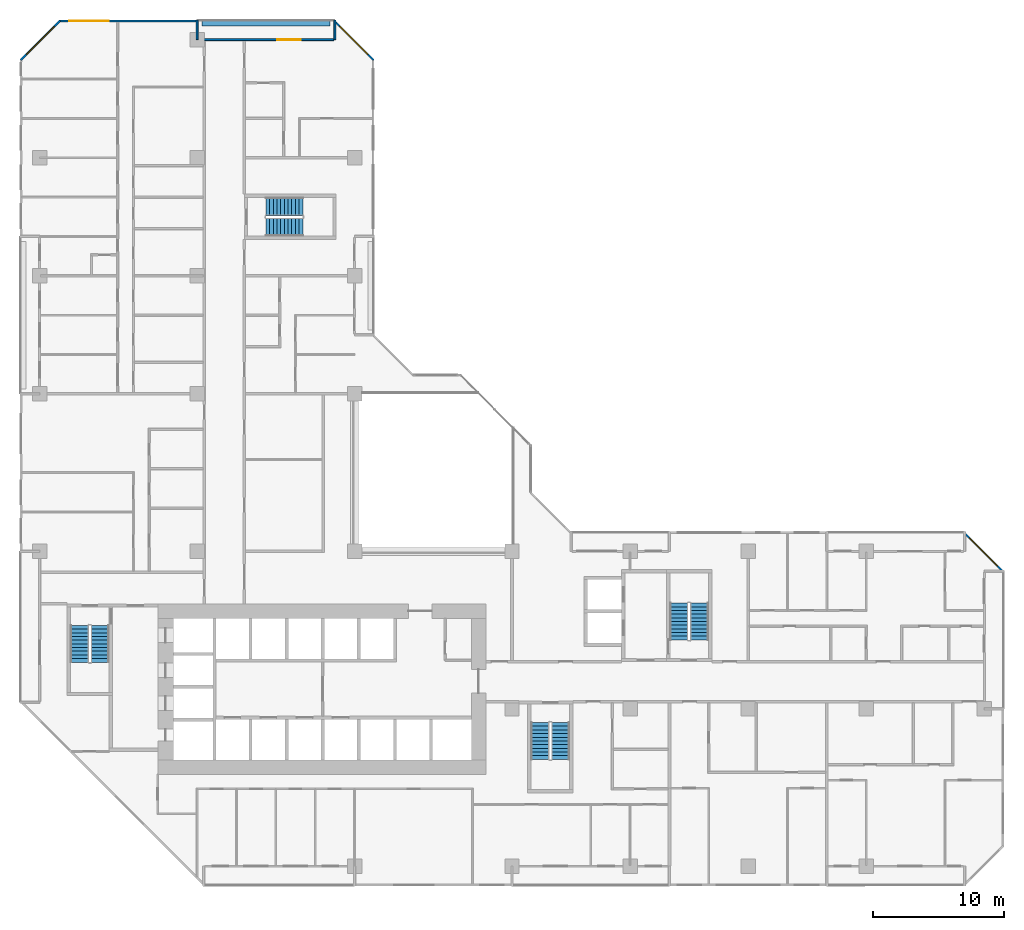
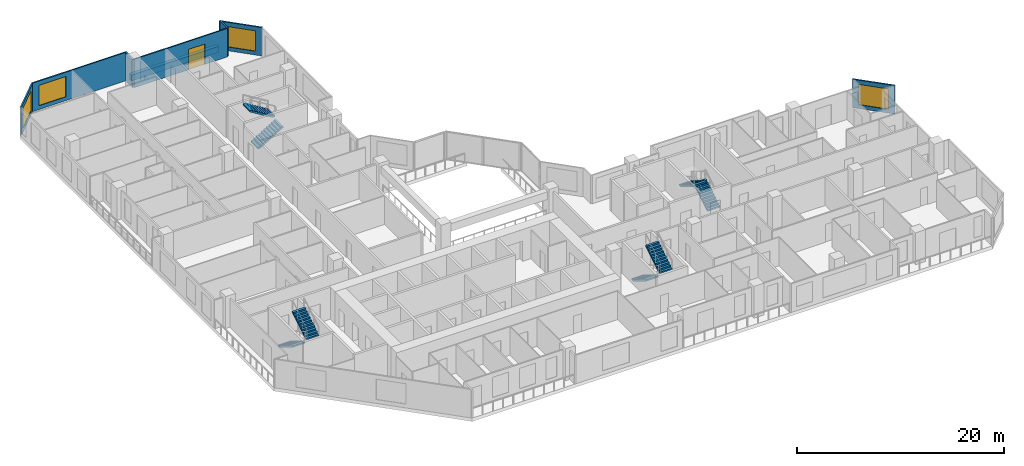
# One storey, part 13 of 15: 8 stair flights, 8 walls, 4 windows, 1 door, 5 openings, 4 elements without a shape of their own.
"""IFC4 building model written with IfcOpenShell, lengths in metres."""

from ifc_helpers import new_model, si_unit, direction, frame, frame_2d, origin, place, context, subcontext, project, spatial, polyline, rectangle, outline, extrude, material, layer, layer_set, type_object, element, fill, aggregate, save


model = new_model("IFC4")

# Units and contexts
model_context = context("Model", 3, precision=1e-05, world=origin(), true_north=direction((0.0, 1.0)))
body_context = subcontext(model_context, "Body", "Model", "MODEL_VIEW")
ifc_project = project(units=[si_unit("LENGTHUNIT", "METRE"), si_unit("AREAUNIT", "SQUARE_METRE"), si_unit("VOLUMEUNIT", "CUBIC_METRE"), si_unit("PLANEANGLEUNIT", "RADIAN"), si_unit("MASSUNIT", "GRAM", prefix="KILO")], contexts=[model_context])

# Site, building, storey
site_placement = place(None, origin())
site = spatial("IfcSite", under=ifc_project, at=site_placement, CompositionType="ELEMENT")
building_placement = place(site_placement, origin())
building = spatial("IfcBuilding", under=site, at=building_placement, Name="Chenar Terraces", CompositionType="ELEMENT")
storey_placement = place(building_placement, frame((0.0, 0.0, 60.14990234375)))
storey = spatial("IfcBuildingStorey", under=building, at=storey_placement, Name="L12", CompositionType="ELEMENT", Elevation=60.14990234375)

# Wall, opening, window
ifc_material_1 = material(Name="Aluminium framed glazing", Category="aluminium")
ifc_layer_1 = layer(ifc_material_1, 0.14990234375)
ifc_layer_set_1 = layer_set([ifc_layer_1], Name="Aluminium framed glazing")
wall_type_1 = type_object("IfcWallType", Name="Glazed flush facade wall 150", PredefinedType="SOLIDWALL", material=ifc_layer_set_1)
wall_1_placement = place(storey_placement, frame((11.925048828125, 64.425048828125, 0.0), z_axis=(0.0, 0.0, 1.0), x_axis=(-1.0, 0.0, 0.0)))
wall_1 = element("IfcWall", 1, at=wall_1_placement, inside=storey, type_object=wall_type_1, Name="Glazed flush facade wall", PredefinedType="SOLIDWALL", context=body_context, shape_type="SweptSolid", body=[
    extrude(rectangle(XDim=10.425048828125, YDim=0.14990234375, at=frame_2d((5.21240234375, 0.0))), origin(), (0.0, 0.0, 1.0), 3.35009765625),
])
opening_1_placement = place(wall_1_placement, frame((6.675048828125, 0.0, 0.449951171875)))
opening_1 = element("IfcOpeningElement", 2, at=opening_1_placement, cuts=wall_1, Name="Opening W300x240", PredefinedType="OPENING", context=body_context, shape_type="SweptSolid", body=[
    extrude(rectangle(XDim=3.0, YDim=2.39990234375, at=frame_2d((1.5, 1.199951171875))), frame((0.0, 0.0849609375, 0.0), z_axis=(0.0, -1.0, 0.0), x_axis=(1.0, 0.0, 0.0)), (0.0, 0.0, 1.0), 0.169921875),
])
ifc_material_2 = material(Name="Low emissivity double glazing, aluminium frame", Category="aluminium")
window_type = type_object("IfcWindowType", Name="Fixed light 3000 x 2400", PartitioningType="SINGLE_PANEL", PredefinedType="WINDOW", material=ifc_material_2)
window_1_placement = place(opening_1_placement, origin())
window_1 = element("IfcWindow", 3, at=window_1_placement, inside=storey, type_object=window_type, Name="Window", OverallHeight=2.39990234375, OverallWidth=3.0, PartitioningType="SINGLE_PANEL", PredefinedType="WINDOW", context=body_context, shape_type="SweptSolid", body=[
    extrude(rectangle(XDim=3.0, YDim=2.39990234375, at=frame_2d((1.5, 1.199951171875))), frame((0.0, 0.030029296875, 0.0), z_axis=(0.0, -1.0, 0.0), x_axis=(1.0, 0.0, 0.0)), (0.0, 0.0, 1.0), 0.06005859375),
])
fill(opening_1, window_1)

# Wall, opening, door
ifc_material_3 = material(Name="Aluminium framed glazing", Category="aluminium")
ifc_layer_2 = layer(ifc_material_3, 0.14990234375)
ifc_layer_set_2 = layer_set([ifc_layer_2], Name="Aluminium framed glazing")
wall_type_2 = type_object("IfcWallType", Name="Glazed loggia back wall 150", PredefinedType="SOLIDWALL", material=ifc_layer_set_2)
wall_2_placement = place(storey_placement, frame((22.425048828125, 63.0, 0.0), z_axis=(0.0, 0.0, 1.0), x_axis=(-1.0, 0.0, 0.0)))
wall_2 = element("IfcWall", 4, at=wall_2_placement, inside=storey, type_object=wall_type_2, Name="Glazed loggia back wall", PredefinedType="SOLIDWALL", context=body_context, shape_type="SweptSolid", body=[
    extrude(rectangle(XDim=10.35009765625, YDim=0.14990234375, at=frame_2d((5.175048828125, 0.0))), origin(), (0.0, 0.0, 1.0), 3.35009765625),
])
opening_2_placement = place(wall_2_placement, frame((2.512451171875, 0.0, 0.0)))
opening_2 = element("IfcOpeningElement", 5, at=opening_2_placement, cuts=wall_2, Name="Opening DL12-G2", PredefinedType="OPENING", context=body_context, shape_type="SweptSolid", body=[
    extrude(rectangle(XDim=1.800048828125, YDim=2.39990234375, at=frame_2d((0.89990234375, 1.199951171875))), frame((0.0, 0.0849609375, 0.0), z_axis=(0.0, -1.0, 0.0), x_axis=(1.0, 0.0, 0.0)), (0.0, 0.0, 1.0), 0.169921875),
])
ifc_material_4 = material(Name="Low emissivity double glazing, aluminium frame", Category="aluminium")
door_type = type_object("IfcDoorType", Name="Loggia glazed double door 1800 x 2400", OperationType="DOUBLE_DOOR_SINGLE_SWING", PredefinedType="DOOR", material=ifc_material_4)
door_placement = place(opening_2_placement, frame((1.800048828125, 0.0, 0.0), z_axis=(0.0, 0.0, 1.0), x_axis=(-1.0, 0.0, 0.0)))
door = element("IfcDoor", 6, at=door_placement, inside=storey, type_object=door_type, Name="Loggia glazed door", OperationType="DOUBLE_DOOR_SINGLE_SWING", OverallHeight=2.39990234375, OverallWidth=1.800048828125, PredefinedType="DOOR", context=body_context, shape_type="SweptSolid", body=[
    extrude(rectangle(XDim=1.800048828125, YDim=2.39990234375, at=frame_2d((0.89990234375, 1.199951171875))), frame((0.0, 0.02490234375, 0.0), z_axis=(0.0, -1.0, 0.0), x_axis=(1.0, 0.0, 0.0)), (0.0, 0.0, 1.0), 0.050048828125),
])
fill(opening_2, door)

# Walls
ifc_material_5 = material(Name="Terracotta cladding on insulated backing", Category="masonry")
ifc_layer_3 = layer(ifc_material_5, 0.14990234375)
ifc_layer_set_3 = layer_set([ifc_layer_3], Name="Terracotta cladding on insulated backing")
wall_type_3 = type_object("IfcWallType", Name="Loggia return wall 150", PredefinedType="SOLIDWALL", material=ifc_layer_set_3)
for number, where, z_axis, x_axis, name in (
    (7, (22.5, 64.5, 0.0), (0.0, 0.0, 1.0), (0.0, -1.0, 0.0), "Loggia return wall"),
    (8, (12.0, 64.5, 0.0), (0.0, 0.0, 1.0), (0.0, -1.0, 0.0), "Loggia return wall"),
):
    element("IfcWall", number, at=place(storey_placement, frame(where, z_axis=z_axis, x_axis=x_axis)), inside=storey, type_object=wall_type_3, Name=name, PredefinedType="SOLIDWALL", context=body_context, shape_type="SweptSolid", body=[
        extrude(rectangle(XDim=1.5, YDim=0.14990234375, at=frame_2d((0.75, 0.0))), origin(), (0.0, 0.0, 1.0), 3.35009765625),
    ])

# Wall, opening, window
ifc_material_6 = material(Name="Terracotta cladding on insulated backing", Category="masonry")
ifc_layer_4 = layer(ifc_material_6, 0.14990234375)
ifc_layer_set_4 = layer_set([ifc_layer_4], Name="Terracotta cladding on insulated backing")
wall_type_4 = type_object("IfcWallType", Name="Terracotta rainscreen wall 150", PredefinedType="SOLIDWALL", material=ifc_layer_set_4)
wall_3_placement = place(storey_placement, frame((25.447021484375, 61.447021484375, 0.0), z_axis=(0.0, 0.0, 1.0), x_axis=(-0.707106781187, 0.707106781187, 0.0)))
wall_3 = element("IfcWall", 9, at=wall_3_placement, inside=storey, type_object=wall_type_4, Name="Terracotta rainscreen wall", PredefinedType="SOLIDWALL", context=body_context, shape_type="SweptSolid", body=[
    extrude(rectangle(XDim=4.24267578125, YDim=0.14990234375, at=frame_2d((2.121337890625, 0.0))), origin(), (0.0, 0.0, 1.0), 3.35009765625),
])
opening_3_placement = place(wall_3_placement, frame((0.621337890625, 0.0, 0.449951171875)))
opening_3 = element("IfcOpeningElement", 10, at=opening_3_placement, cuts=wall_3, Name="Opening W300x240", PredefinedType="OPENING", context=body_context, shape_type="SweptSolid", body=[
    extrude(rectangle(XDim=3.0, YDim=2.39990234375, at=frame_2d((1.5, 1.199951171875))), frame((0.0, 0.0849609375, 0.0), z_axis=(0.0, -1.0, 0.0), x_axis=(1.0, 0.0, 0.0)), (0.0, 0.0, 1.0), 0.169921875),
])
window_2_placement = place(opening_3_placement, origin())
window_2 = element("IfcWindow", 11, at=window_2_placement, inside=storey, type_object=window_type, Name="Window", OverallHeight=2.39990234375, OverallWidth=3.0, PartitioningType="SINGLE_PANEL", PredefinedType="WINDOW", context=body_context, shape_type="SweptSolid", body=[
    extrude(rectangle(XDim=3.0, YDim=2.39990234375, at=frame_2d((1.5, 1.199951171875))), frame((0.0, 0.030029296875, 0.0), z_axis=(0.0, -1.0, 0.0), x_axis=(1.0, 0.0, 0.0)), (0.0, 0.0, 1.0), 0.06005859375),
])
fill(opening_3, window_2)

wall_4_placement = place(storey_placement, frame((1.552978515625, 64.447021484375, 0.0), z_axis=(0.0, 0.0, 1.0), x_axis=(-0.707106781187, -0.707106781187, 0.0)))
wall_4 = element("IfcWall", 12, at=wall_4_placement, inside=storey, type_object=wall_type_4, Name="Terracotta rainscreen wall", PredefinedType="SOLIDWALL", context=body_context, shape_type="SweptSolid", body=[
    extrude(rectangle(XDim=4.24267578125, YDim=0.14990234375, at=frame_2d((2.121337890625, 0.0))), origin(), (0.0, 0.0, 1.0), 3.35009765625),
])
opening_4_placement = place(wall_4_placement, frame((0.621337890625, 0.0, 0.449951171875)))
opening_4 = element("IfcOpeningElement", 13, at=opening_4_placement, cuts=wall_4, Name="Opening W300x240", PredefinedType="OPENING", context=body_context, shape_type="SweptSolid", body=[
    extrude(rectangle(XDim=3.0, YDim=2.39990234375, at=frame_2d((1.5, 1.199951171875))), frame((0.0, 0.0849609375, 0.0), z_axis=(0.0, -1.0, 0.0), x_axis=(1.0, 0.0, 0.0)), (0.0, 0.0, 1.0), 0.169921875),
])
window_3_placement = place(opening_4_placement, origin())
window_3 = element("IfcWindow", 14, at=window_3_placement, inside=storey, type_object=window_type, Name="Window", OverallHeight=2.39990234375, OverallWidth=3.0, PartitioningType="SINGLE_PANEL", PredefinedType="WINDOW", context=body_context, shape_type="SweptSolid", body=[
    extrude(rectangle(XDim=3.0, YDim=2.39990234375, at=frame_2d((1.5, 1.199951171875))), frame((0.0, 0.030029296875, 0.0), z_axis=(0.0, -1.0, 0.0), x_axis=(1.0, 0.0, 0.0)), (0.0, 0.0, 1.0), 0.06005859375),
])
fill(opening_4, window_3)

wall_5_placement = place(storey_placement, frame((73.447021484375, 22.447021484375, 0.0), z_axis=(0.0, 0.0, 1.0), x_axis=(-0.707106781187, 0.707106781187, 0.0)))
wall_5 = element("IfcWall", 15, at=wall_5_placement, inside=storey, type_object=wall_type_4, Name="Terracotta rainscreen wall", PredefinedType="SOLIDWALL", context=body_context, shape_type="SweptSolid", body=[
    extrude(rectangle(XDim=4.24267578125, YDim=0.14990234375, at=frame_2d((2.121337890625, 0.0))), origin(), (0.0, 0.0, 1.0), 3.35009765625),
])
opening_5_placement = place(wall_5_placement, frame((0.621337890625, 0.0, 0.449951171875)))
opening_5 = element("IfcOpeningElement", 16, at=opening_5_placement, cuts=wall_5, Name="Opening W300x240", PredefinedType="OPENING", context=body_context, shape_type="SweptSolid", body=[
    extrude(rectangle(XDim=3.0, YDim=2.39990234375, at=frame_2d((1.5, 1.199951171875))), frame((0.0, 0.0849609375, 0.0), z_axis=(0.0, -1.0, 0.0), x_axis=(1.0, 0.0, 0.0)), (0.0, 0.0, 1.0), 0.169921875),
])
window_4_placement = place(opening_5_placement, origin())
window_4 = element("IfcWindow", 17, at=window_4_placement, inside=storey, type_object=window_type, Name="Window", OverallHeight=2.39990234375, OverallWidth=3.0, PartitioningType="SINGLE_PANEL", PredefinedType="WINDOW", context=body_context, shape_type="SweptSolid", body=[
    extrude(rectangle(XDim=3.0, YDim=2.39990234375, at=frame_2d((1.5, 1.199951171875))), frame((0.0, 0.030029296875, 0.0), z_axis=(0.0, -1.0, 0.0), x_axis=(1.0, 0.0, 0.0)), (0.0, 0.0, 1.0), 0.06005859375),
])
fill(opening_5, window_4)

# Wall
ifc_material_7 = material(Name="GRP planter trough")
ifc_layer_5 = layer(ifc_material_7, 0.39990234375)
ifc_layer_set_5 = layer_set([ifc_layer_5], Name="GRP planter trough")
wall_type_5 = type_object("IfcWallType", Name="Vertical greenery planter 400", PredefinedType="SOLIDWALL", material=ifc_layer_set_5)
wall_6_placement = place(storey_placement, frame((22.125, 64.22900390625, 0.0), z_axis=(0.0, 0.0, 1.0), x_axis=(-1.0, 0.0, 0.0)))
element("IfcWall", 18, at=wall_6_placement, inside=storey, type_object=wall_type_5, Name="Vertical greenery planter", PredefinedType="SOLIDWALL", context=body_context, shape_type="SweptSolid", body=[
    extrude(rectangle(XDim=9.75, YDim=0.39990234375, at=frame_2d((4.875, 0.0))), origin(), (0.0, 0.0, 1.0), 0.7001953125),
])

# Stair, stair flights
ifc_material_8 = material(Name="Reinforced concrete C40/50", Category="concrete")
stair_type = type_object("IfcStairType", Name="Core stair 1400 half-turn", PredefinedType="HALF_TURN_STAIR", material=ifc_material_8)
placement = place(storey_placement, origin())
stair_1 = element("IfcStair", 19, at=placement, inside=storey, type_object=stair_type, Name="L12 Stair 1", PredefinedType="HALF_TURN_STAIR")
ifc_material_9 = material(Name="Reinforced concrete C40/50", Category="concrete")
stair_flight_type = type_object("IfcStairFlightType", Name="Core stair flight 1400", PredefinedType="STRAIGHT", material=ifc_material_9)
stair_flight_1_placement = place(storey_placement, frame((3.050048828125, 18.35009765625, 0.0), z_axis=(0.0, 0.0, 1.0), x_axis=(0.0, -1.0, 0.0)))
stair_flight_1 = element("IfcStairFlight", 20, at=stair_flight_1_placement, type_object=stair_flight_type, Name="ST1 flight 1", NumberOfRisers=11, NumberOfTreads=10, PredefinedType="STRAIGHT", RiserHeight=0.170454545, TreadLength=0.28, context=body_context, shape_type="SweptSolid", body=[
    extrude(outline(polyline([(-0.0029296875, 0.0), (-0.0029296875, 0.17041015625), (0.0, 0.17041015625), (0.280029296875, 0.17041015625), (0.280029296875, 0.3408203125), (0.56005859375, 0.3408203125), (0.56005859375, 0.511474609375), (0.840087890625, 0.511474609375), (0.840087890625, 0.681884765625), (1.1201171875, 0.681884765625), (1.1201171875, 0.852294921875), (1.39990234375, 0.852294921875), (1.39990234375, 1.022705078125), (1.679931640625, 1.022705078125), (1.679931640625, 1.193115234375), (1.9599609375, 1.193115234375), (1.9599609375, 1.363525390625), (2.239990234375, 1.363525390625), (2.239990234375, 1.5341796875), (2.52001953125, 1.5341796875), (2.52001953125, 1.70458984375), (2.800048828125, 1.70458984375), (2.802978515625, 1.70458984375), (2.802978515625, 1.529052734375), (2.800048828125, 1.529052734375), (0.288330078125, 0.0), (-0.0029296875, 0.0)])), frame((0.0, 0.699951171875, 0.0), z_axis=(0.0, -1.0, 0.0), x_axis=(1.0, 0.0, 0.0)), (0.0, 0.0, 1.0), 1.39990234375),
])
stair_flight_2_placement = place(storey_placement, frame((4.60009765625, 15.550048828125, 1.875), z_axis=(0.0, 0.0, 1.0), x_axis=(0.0, 1.0, 0.0)))
stair_flight_2 = element("IfcStairFlight", 21, at=stair_flight_2_placement, type_object=stair_flight_type, Name="ST1 flight 2", NumberOfRisers=11, NumberOfTreads=10, PredefinedType="STRAIGHT", RiserHeight=0.170454545, TreadLength=0.28, context=body_context, shape_type="SweptSolid", body=[
    extrude(outline(polyline([(-0.0029296875, 0.0), (-0.0029296875, 0.17041015625), (0.0, 0.17041015625), (0.280029296875, 0.17041015625), (0.280029296875, 0.3408203125), (0.56005859375, 0.3408203125), (0.56005859375, 0.511474609375), (0.840087890625, 0.511474609375), (0.840087890625, 0.681884765625), (1.1201171875, 0.681884765625), (1.1201171875, 0.852294921875), (1.39990234375, 0.852294921875), (1.39990234375, 1.022705078125), (1.679931640625, 1.022705078125), (1.679931640625, 1.193115234375), (1.9599609375, 1.193115234375), (1.9599609375, 1.363525390625), (2.239990234375, 1.363525390625), (2.239990234375, 1.5341796875), (2.52001953125, 1.5341796875), (2.52001953125, 1.70458984375), (2.800048828125, 1.70458984375), (2.802978515625, 1.70458984375), (2.802978515625, 1.529052734375), (2.800048828125, 1.529052734375), (0.288330078125, 0.0), (-0.0029296875, 0.0)])), frame((0.0, 0.699951171875, 0.0), z_axis=(0.0, -1.0, 0.0), x_axis=(1.0, 0.0, 0.0)), (0.0, 0.0, 1.0), 1.39990234375),
])
aggregate(stair_1, [stair_flight_1, stair_flight_2])

stair_2 = element("IfcStair", 22, at=placement, inside=storey, type_object=stair_type, Name="L12 Stair 2", PredefinedType="HALF_TURN_STAIR")
stair_flight_3_placement = place(storey_placement, frame((38.14990234375, 10.949951171875, 0.0), z_axis=(0.0, 0.0, 1.0), x_axis=(0.0, -1.0, 0.0)))
stair_flight_3 = element("IfcStairFlight", 23, at=stair_flight_3_placement, type_object=stair_flight_type, Name="ST2 flight 1", NumberOfRisers=11, NumberOfTreads=10, PredefinedType="STRAIGHT", RiserHeight=0.170454545, TreadLength=0.28, context=body_context, shape_type="SweptSolid", body=[
    extrude(outline(polyline([(-0.0029296875, 0.0), (-0.0029296875, 0.17041015625), (0.0, 0.17041015625), (0.280029296875, 0.17041015625), (0.280029296875, 0.3408203125), (0.56005859375, 0.3408203125), (0.56005859375, 0.511474609375), (0.840087890625, 0.511474609375), (0.840087890625, 0.681884765625), (1.1201171875, 0.681884765625), (1.1201171875, 0.852294921875), (1.39990234375, 0.852294921875), (1.39990234375, 1.022705078125), (1.679931640625, 1.022705078125), (1.679931640625, 1.193115234375), (1.9599609375, 1.193115234375), (1.9599609375, 1.363525390625), (2.239990234375, 1.363525390625), (2.239990234375, 1.5341796875), (2.52001953125, 1.5341796875), (2.52001953125, 1.70458984375), (2.800048828125, 1.70458984375), (2.802978515625, 1.70458984375), (2.802978515625, 1.529052734375), (2.800048828125, 1.529052734375), (0.288330078125, 0.0), (-0.0029296875, 0.0)])), frame((0.0, 0.699951171875, 0.0), z_axis=(0.0, -1.0, 0.0), x_axis=(1.0, 0.0, 0.0)), (0.0, 0.0, 1.0), 1.39990234375),
])
stair_flight_4_placement = place(storey_placement, frame((39.699951171875, 8.14990234375, 1.875), z_axis=(0.0, 0.0, 1.0), x_axis=(0.0, 1.0, 0.0)))
stair_flight_4 = element("IfcStairFlight", 24, at=stair_flight_4_placement, type_object=stair_flight_type, Name="ST2 flight 2", NumberOfRisers=11, NumberOfTreads=10, PredefinedType="STRAIGHT", RiserHeight=0.170454545, TreadLength=0.28, context=body_context, shape_type="SweptSolid", body=[
    extrude(outline(polyline([(-0.0029296875, 0.0), (-0.0029296875, 0.17041015625), (0.0, 0.17041015625), (0.280029296875, 0.17041015625), (0.280029296875, 0.3408203125), (0.56005859375, 0.3408203125), (0.56005859375, 0.511474609375), (0.840087890625, 0.511474609375), (0.840087890625, 0.681884765625), (1.1201171875, 0.681884765625), (1.1201171875, 0.852294921875), (1.39990234375, 0.852294921875), (1.39990234375, 1.022705078125), (1.679931640625, 1.022705078125), (1.679931640625, 1.193115234375), (1.9599609375, 1.193115234375), (1.9599609375, 1.363525390625), (2.239990234375, 1.363525390625), (2.239990234375, 1.5341796875), (2.52001953125, 1.5341796875), (2.52001953125, 1.70458984375), (2.800048828125, 1.70458984375), (2.802978515625, 1.70458984375), (2.802978515625, 1.529052734375), (2.800048828125, 1.529052734375), (0.288330078125, 0.0), (-0.0029296875, 0.0)])), frame((0.0, 0.699951171875, 0.0), z_axis=(0.0, -1.0, 0.0), x_axis=(1.0, 0.0, 0.0)), (0.0, 0.0, 1.0), 1.39990234375),
])
aggregate(stair_2, [stair_flight_3, stair_flight_4])

stair_3 = element("IfcStair", 25, at=placement, inside=storey, type_object=stair_type, Name="L12 Stair 3", PredefinedType="HALF_TURN_STAIR")
stair_flight_5_placement = place(storey_placement, frame((50.27490234375, 17.25, 0.0), z_axis=(0.0, 0.0, 1.0), x_axis=(0.0, 1.0, 0.0)))
stair_flight_5 = element("IfcStairFlight", 26, at=stair_flight_5_placement, type_object=stair_flight_type, Name="ST3 flight 1", NumberOfRisers=11, NumberOfTreads=10, PredefinedType="STRAIGHT", RiserHeight=0.170454545, TreadLength=0.28, context=body_context, shape_type="SweptSolid", body=[
    extrude(outline(polyline([(-0.0029296875, 0.0), (-0.0029296875, 0.17041015625), (0.0, 0.17041015625), (0.280029296875, 0.17041015625), (0.280029296875, 0.3408203125), (0.56005859375, 0.3408203125), (0.56005859375, 0.511474609375), (0.840087890625, 0.511474609375), (0.840087890625, 0.681884765625), (1.1201171875, 0.681884765625), (1.1201171875, 0.852294921875), (1.39990234375, 0.852294921875), (1.39990234375, 1.022705078125), (1.679931640625, 1.022705078125), (1.679931640625, 1.193115234375), (1.9599609375, 1.193115234375), (1.9599609375, 1.363525390625), (2.239990234375, 1.363525390625), (2.239990234375, 1.5341796875), (2.52001953125, 1.5341796875), (2.52001953125, 1.70458984375), (2.800048828125, 1.70458984375), (2.802978515625, 1.70458984375), (2.802978515625, 1.529052734375), (2.800048828125, 1.529052734375), (0.288330078125, 0.0), (-0.0029296875, 0.0)])), frame((0.0, 0.699951171875, 0.0), z_axis=(0.0, -1.0, 0.0), x_axis=(1.0, 0.0, 0.0)), (0.0, 0.0, 1.0), 1.39990234375),
])
stair_flight_6_placement = place(storey_placement, frame((48.72509765625, 20.050048828125, 1.875), z_axis=(0.0, 0.0, 1.0), x_axis=(0.0, -1.0, 0.0)))
stair_flight_6 = element("IfcStairFlight", 27, at=stair_flight_6_placement, type_object=stair_flight_type, Name="ST3 flight 2", NumberOfRisers=11, NumberOfTreads=10, PredefinedType="STRAIGHT", RiserHeight=0.170454545, TreadLength=0.28, context=body_context, shape_type="SweptSolid", body=[
    extrude(outline(polyline([(-0.0029296875, 0.0), (-0.0029296875, 0.17041015625), (0.0, 0.17041015625), (0.280029296875, 0.17041015625), (0.280029296875, 0.3408203125), (0.56005859375, 0.3408203125), (0.56005859375, 0.511474609375), (0.840087890625, 0.511474609375), (0.840087890625, 0.681884765625), (1.1201171875, 0.681884765625), (1.1201171875, 0.852294921875), (1.39990234375, 0.852294921875), (1.39990234375, 1.022705078125), (1.679931640625, 1.022705078125), (1.679931640625, 1.193115234375), (1.9599609375, 1.193115234375), (1.9599609375, 1.363525390625), (2.239990234375, 1.363525390625), (2.239990234375, 1.5341796875), (2.52001953125, 1.5341796875), (2.52001953125, 1.70458984375), (2.800048828125, 1.70458984375), (2.802978515625, 1.70458984375), (2.802978515625, 1.529052734375), (2.800048828125, 1.529052734375), (0.288330078125, 0.0), (-0.0029296875, 0.0)])), frame((0.0, 0.699951171875, 0.0), z_axis=(0.0, -1.0, 0.0), x_axis=(1.0, 0.0, 0.0)), (0.0, 0.0, 1.0), 1.39990234375),
])
aggregate(stair_3, [stair_flight_5, stair_flight_6])

stair_4 = element("IfcStair", 28, at=placement, inside=storey, type_object=stair_type, Name="L12 Stair 4", PredefinedType="HALF_TURN_STAIR")
stair_flight_7_placement = place(storey_placement, frame((17.25, 48.72509765625, 0.0), z_axis=(0.0, 0.0, 1.0), x_axis=(1.0, 0.0, 0.0)))
stair_flight_7 = element("IfcStairFlight", 29, at=stair_flight_7_placement, type_object=stair_flight_type, Name="ST4 flight 1", NumberOfRisers=11, NumberOfTreads=10, PredefinedType="STRAIGHT", RiserHeight=0.170454545, TreadLength=0.28, context=body_context, shape_type="SweptSolid", body=[
    extrude(outline(polyline([(-0.0029296875, 0.0), (-0.0029296875, 0.17041015625), (0.0, 0.17041015625), (0.280029296875, 0.17041015625), (0.280029296875, 0.3408203125), (0.56005859375, 0.3408203125), (0.56005859375, 0.511474609375), (0.840087890625, 0.511474609375), (0.840087890625, 0.681884765625), (1.1201171875, 0.681884765625), (1.1201171875, 0.852294921875), (1.39990234375, 0.852294921875), (1.39990234375, 1.022705078125), (1.679931640625, 1.022705078125), (1.679931640625, 1.193115234375), (1.9599609375, 1.193115234375), (1.9599609375, 1.363525390625), (2.239990234375, 1.363525390625), (2.239990234375, 1.5341796875), (2.52001953125, 1.5341796875), (2.52001953125, 1.70458984375), (2.800048828125, 1.70458984375), (2.802978515625, 1.70458984375), (2.802978515625, 1.529052734375), (2.800048828125, 1.529052734375), (0.288330078125, 0.0), (-0.0029296875, 0.0)])), frame((0.0, 0.699951171875, 0.0), z_axis=(0.0, -1.0, 0.0), x_axis=(1.0, 0.0, 0.0)), (0.0, 0.0, 1.0), 1.39990234375),
])
stair_flight_8_placement = place(storey_placement, frame((20.050048828125, 50.27490234375, 1.875), z_axis=(0.0, 0.0, 1.0), x_axis=(-1.0, 0.0, 0.0)))
stair_flight_8 = element("IfcStairFlight", 30, at=stair_flight_8_placement, type_object=stair_flight_type, Name="ST4 flight 2", NumberOfRisers=11, NumberOfTreads=10, PredefinedType="STRAIGHT", RiserHeight=0.170454545, TreadLength=0.28, context=body_context, shape_type="SweptSolid", body=[
    extrude(outline(polyline([(-0.0029296875, 0.0), (-0.0029296875, 0.17041015625), (0.0, 0.17041015625), (0.280029296875, 0.17041015625), (0.280029296875, 0.3408203125), (0.56005859375, 0.3408203125), (0.56005859375, 0.511474609375), (0.840087890625, 0.511474609375), (0.840087890625, 0.681884765625), (1.1201171875, 0.681884765625), (1.1201171875, 0.852294921875), (1.39990234375, 0.852294921875), (1.39990234375, 1.022705078125), (1.679931640625, 1.022705078125), (1.679931640625, 1.193115234375), (1.9599609375, 1.193115234375), (1.9599609375, 1.363525390625), (2.239990234375, 1.363525390625), (2.239990234375, 1.5341796875), (2.52001953125, 1.5341796875), (2.52001953125, 1.70458984375), (2.800048828125, 1.70458984375), (2.802978515625, 1.70458984375), (2.802978515625, 1.529052734375), (2.800048828125, 1.529052734375), (0.288330078125, 0.0), (-0.0029296875, 0.0)])), frame((0.0, 0.699951171875, 0.0), z_axis=(0.0, -1.0, 0.0), x_axis=(1.0, 0.0, 0.0)), (0.0, 0.0, 1.0), 1.39990234375),
])
aggregate(stair_4, [stair_flight_7, stair_flight_8])

save(model, "model.ifc")
